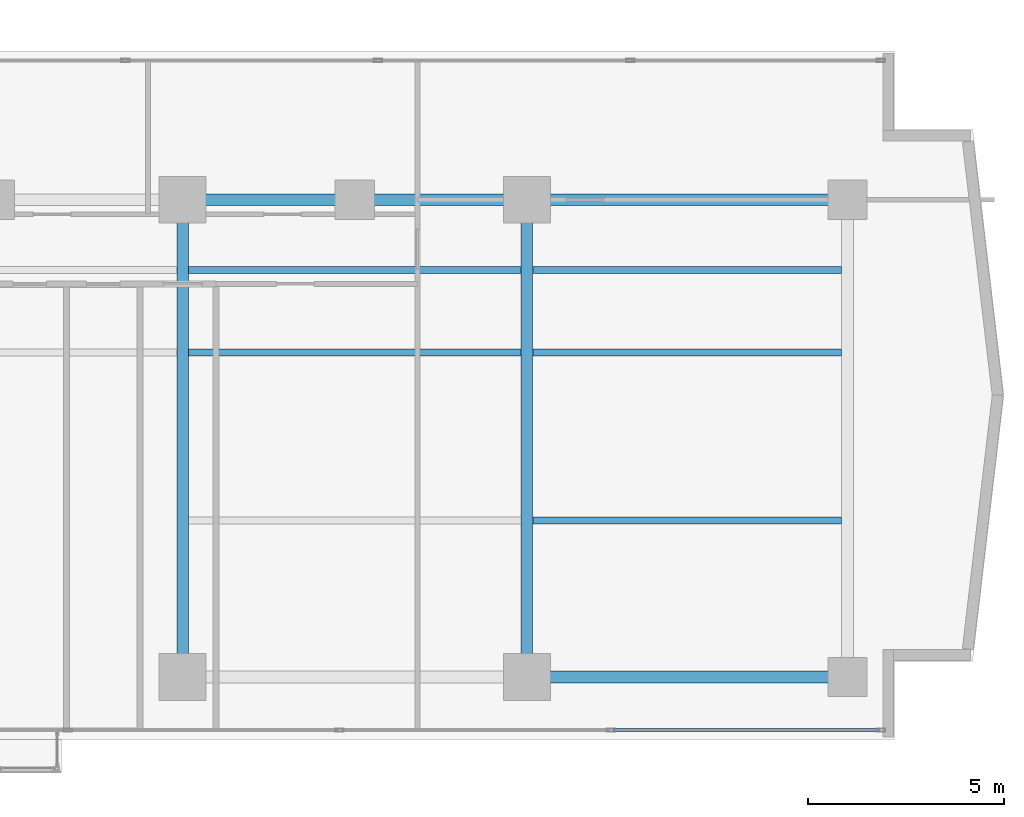
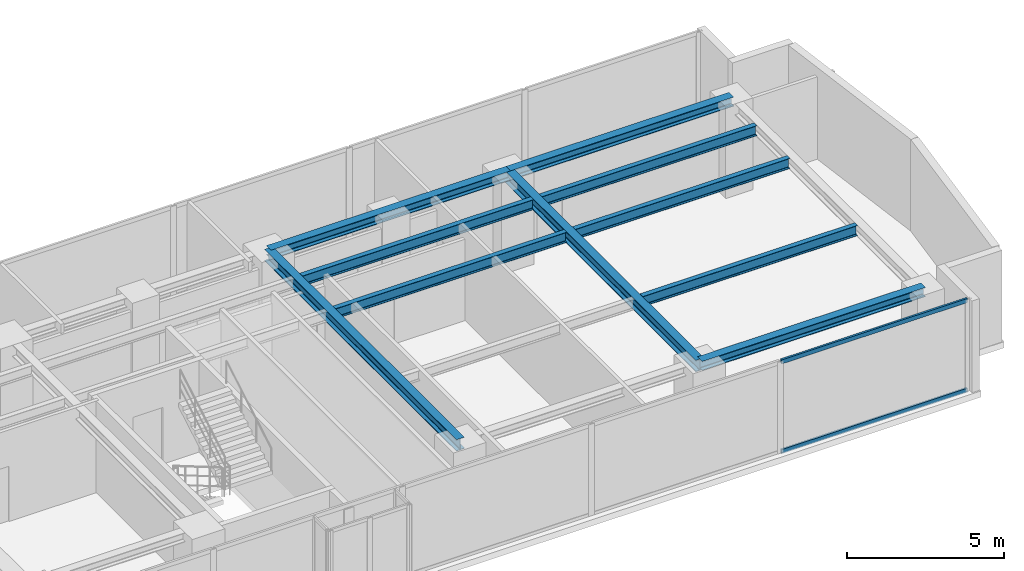
# One storey, part 11 of 23: 10 beams, 2 members, 1 element without a shape of its own.
"""IFC4 building model written with IfcOpenShell, lengths in metres."""

from ifc_helpers import new_model, si_unit, direction, frame, origin, origin_with_axes, origin_2d, place, context, subcontext, project, spatial, hollow_rectangle, i_section, extrude, source, transform, mapped, material, layer, layer_set, material_profile, profile_set, type_object, element, aggregate, save


model = new_model("IFC4")

# Units and contexts
model_context = context("Model", 3, precision=1e-05, world=origin(), true_north=direction((0.0, 1.0)))
body_context = subcontext(model_context, "Body", "Model", "MODEL_VIEW")
ifc_project = project(units=[si_unit("LENGTHUNIT", "METRE"), si_unit("AREAUNIT", "SQUARE_METRE"), si_unit("VOLUMEUNIT", "CUBIC_METRE"), si_unit("PLANEANGLEUNIT", "RADIAN"), si_unit("MASSUNIT", "GRAM", prefix="KILO")], contexts=[model_context])

# Site, building, storey
site_placement = place(None, origin())
site = spatial("IfcSite", under=ifc_project, at=site_placement, CompositionType="ELEMENT")
building_placement = place(site_placement, origin())
building = spatial("IfcBuilding", under=site, at=building_placement, Name="Kolvaren Waterfront Exchange", CompositionType="ELEMENT")
storey_placement = place(building_placement, frame((0.0, 0.0, 188.0)))
storey = spatial("IfcBuildingStorey", under=building, at=storey_placement, Name="L48", CompositionType="ELEMENT", Elevation=188.0)

# Beams
ifc_material_1 = material(Name="Steel S355", Category="steel")
ifc_material_profile_1 = material_profile(ifc_material_1, i_section(OverallWidth=0.300048828125, OverallDepth=0.360107421875, WebThickness=0.012451171875, FlangeThickness=0.0224609375, FilletRadius=0.027099609375, at=origin_2d()), Name="HEB360")
ifc_profile_set_1 = profile_set([ifc_material_profile_1], Name="Steel S355")
beam_type_1 = type_object("IfcBeamType", Name="STR-BM-HEB360", PredefinedType="SPANDREL", material=ifc_profile_set_1)
beam_1_placement = place(storey_placement, frame((45.60009765625, 5.199951171875, 3.3798828125), z_axis=(1.0, 0.0, 0.0), x_axis=(0.0, 1.0, 0.0)))
element("IfcBeam", 1, at=beam_1_placement, inside=storey, type_object=beam_type_1, Name="L48 east-arm spandrel S4", PredefinedType="SPANDREL", context=body_context, shape_type="SweptSolid", body=[
    extrude(i_section(OverallWidth=0.300048828125, OverallDepth=0.360107421875, WebThickness=0.012451171875, FlangeThickness=0.0224609375, FilletRadius=0.027099609375, at=origin_2d()), origin(), (0.0, 0.0, 1.0), 8.199951171875),
])
beam_2_placement = place(storey_placement, frame((36.800048828125, 17.39990234375, 3.3798828125), z_axis=(1.0, 0.0, 0.0), x_axis=(0.0, 1.0, 0.0)))
element("IfcBeam", 2, at=beam_2_placement, inside=storey, type_object=beam_type_1, Name="L48 east-arm spandrel N3", PredefinedType="SPANDREL", context=body_context, shape_type="SweptSolid", body=[
    extrude(i_section(OverallWidth=0.300048828125, OverallDepth=0.360107421875, WebThickness=0.012451171875, FlangeThickness=0.0224609375, FilletRadius=0.027099609375, at=origin_2d()), origin(), (0.0, 0.0, 1.0), 8.800048828125),
])
beam_3_placement = place(storey_placement, frame((45.60009765625, 17.39990234375, 3.3798828125), z_axis=(1.0, 0.0, 0.0), x_axis=(0.0, 1.0, 0.0)))
element("IfcBeam", 3, at=beam_3_placement, inside=storey, type_object=beam_type_1, Name="L48 east-arm spandrel N4", PredefinedType="SPANDREL", context=body_context, shape_type="SweptSolid", body=[
    extrude(i_section(OverallWidth=0.300048828125, OverallDepth=0.360107421875, WebThickness=0.012451171875, FlangeThickness=0.0224609375, FilletRadius=0.027099609375, at=origin_2d()), origin(), (0.0, 0.0, 1.0), 8.199951171875),
])
ifc_material_profile_2 = material_profile(ifc_material_1, i_section(OverallWidth=0.300048828125, OverallDepth=0.449951171875, WebThickness=0.013916015625, FlangeThickness=0.02587890625, FilletRadius=0.027099609375, at=origin_2d()), Name="HEB450")
ifc_profile_set_2 = profile_set([ifc_material_profile_2], Name="Steel S355")
beam_type_2 = type_object("IfcBeamType", Name="STR-BM-HEB450", PredefinedType="BEAM", material=ifc_profile_set_2)
for number, where, z_axis, x_axis, name in (
    (4, (36.800048828125, 5.199951171875, 3.3349609375), (0.0, 1.0, 0.0), (-1.0, 0.0, 0.0), "L48 east-arm transverse girder X36"),
    (5, (45.60009765625, 5.199951171875, 3.3349609375), (0.0, 1.0, 0.0), (-1.0, 0.0, 0.0), "L48 east-arm transverse girder X45"),
):
    element("IfcBeam", number, at=place(storey_placement, frame(where, z_axis=z_axis, x_axis=x_axis)), inside=storey, type_object=beam_type_2, Name=name, PredefinedType="BEAM", context=body_context, shape_type="SweptSolid", body=[
        extrude(i_section(OverallWidth=0.300048828125, OverallDepth=0.449951171875, WebThickness=0.013916015625, FlangeThickness=0.02587890625, FilletRadius=0.027099609375, at=origin_2d()), origin(), (0.0, 0.0, 1.0), 12.199951171875),
    ])
ifc_material_profile_3 = material_profile(ifc_material_1, i_section(OverallWidth=0.179931640625, OverallDepth=0.39990234375, WebThickness=0.008544921875, FlangeThickness=0.013427734375, FilletRadius=0.02099609375, at=origin_2d()), Name="IPE400")
ifc_profile_set_3 = profile_set([ifc_material_profile_3], Name="Steel S355")
beam_type_3 = type_object("IfcBeamType", Name="STR-BM-IPE400", PredefinedType="JOIST", material=ifc_profile_set_3)
for number, where, z_axis, x_axis, name in (
    (6, (36.951904296875, 13.5, 3.360107421875), (1.0, 0.0, 0.0), (0.0, 1.0, 0.0), "L48 east-arm composite joist 3A"),
    (7, (36.951904296875, 15.60009765625, 3.360107421875), (1.0, 0.0, 0.0), (0.0, 1.0, 0.0), "L48 east-arm composite joist 3C"),
):
    element("IfcBeam", number, at=place(storey_placement, frame(where, z_axis=z_axis, x_axis=x_axis)), inside=storey, type_object=beam_type_3, Name=name, PredefinedType="JOIST", context=body_context, shape_type="SweptSolid", body=[
        extrude(i_section(OverallWidth=0.179931640625, OverallDepth=0.39990234375, WebThickness=0.008544921875, FlangeThickness=0.013427734375, FilletRadius=0.02099609375, at=origin_2d()), origin(), (0.0, 0.0, 1.0), 8.49609375),
    ])
for number, where, z_axis, x_axis, name in (
    (8, (45.751953125, 13.5, 3.360107421875), (1.0, 0.0, 0.0), (0.0, 1.0, 0.0), "L48 east-arm composite joist 4A"),
    (9, (45.751953125, 15.60009765625, 3.360107421875), (1.0, 0.0, 0.0), (0.0, 1.0, 0.0), "L48 east-arm composite joist 4C"),
    (10, (45.751953125, 9.199951171875, 3.360107421875), (1.0, 0.0, 0.0), (0.0, 1.0, 0.0), "L48 east-arm composite joist 4B"),
):
    element("IfcBeam", number, at=place(storey_placement, frame(where, z_axis=z_axis, x_axis=x_axis)), inside=storey, type_object=beam_type_3, Name=name, PredefinedType="JOIST", context=body_context, shape_type="SweptSolid", body=[
        extrude(i_section(OverallWidth=0.179931640625, OverallDepth=0.39990234375, WebThickness=0.008544921875, FlangeThickness=0.013427734375, FilletRadius=0.02099609375, at=origin_2d()), origin(), (0.0, 0.0, 1.0), 7.89599609375),
    ])

# Curtain wall, members
ifc_material_2 = material(Name="Anodised bronze aluminium 6063-T6", Category="aluminium")
ifc_layer = layer(ifc_material_2, 0.219970703125, Name="Anodised bronze aluminium 6063-T6")
ifc_layer_set = layer_set([ifc_layer], Name="Anodised bronze aluminium 6063-T6")
curtain_wall_type = type_object("IfcCurtainWallType", Name="ARC-CW-SYS1", PredefinedType="USERDEFINED", material=ifc_layer_set)
curtain_wall_placement = place(storey_placement, origin())
curtain_wall = element("IfcCurtainWall", 11, at=curtain_wall_placement, inside=storey, type_object=curtain_wall_type, Name="L48 stick curtain wall CW1 (CW-L48-S)", ObjectType="STICK CURTAIN WALL", PredefinedType="USERDEFINED")
ifc_material_3 = material(Name="Anodised aluminium 6063-T6", Category="aluminium")
ifc_material_profile_4 = material_profile(ifc_material_3, hollow_rectangle(XDim=0.074951171875, YDim=0.159912109375, WallThickness=0.00439453125, at=origin_2d()), Name="ALU-TRN-160x75x4.5")
ifc_profile_set_4 = profile_set([ifc_material_profile_4], Name="Anodised aluminium 6063-T6")
member_type = type_object("IfcMemberType", Name="ARC-CWT-160", PredefinedType="USERDEFINED", material=ifc_profile_set_4)
shared_shape = source(origin_with_axes(), body_context, "Body", "SweptSolid", [
    extrude(hollow_rectangle(XDim=0.074951171875, YDim=0.159912109375, WallThickness=0.00439453125, at=origin_2d()), origin(), (0.0, 0.0, 1.0), 6.822998046875),
])
member_1_placement = place(storey_placement, frame((47.797119140625, 3.840087890625, 0.03759765625), z_axis=(1.0, 0.0, 0.0), x_axis=(0.0, 1.0, 0.0)))
member_1 = element("IfcMember", 12, at=member_1_placement, type_object=member_type, Name="CW1 transom 7.1", ObjectType="TRANSOM", PredefinedType="USERDEFINED", context=body_context, shape_type="MappedRepresentation", body=[
    mapped(shared_shape, transform((0.0, 0.0, 0.0), x_axis=(1.0, 0.0, 0.0), y_axis=(0.0, 1.0, 0.0), z_axis=(0.0, 0.0, 1.0), scale=1.0)),
])
member_2_placement = place(storey_placement, frame((47.797119140625, 3.840087890625, 3.5224609375), z_axis=(1.0, 0.0, 0.0), x_axis=(0.0, 1.0, 0.0)))
member_2 = element("IfcMember", 13, at=member_2_placement, type_object=member_type, Name="CW1 transom 7.2", ObjectType="TRANSOM", PredefinedType="USERDEFINED", context=body_context, shape_type="MappedRepresentation", body=[
    mapped(shared_shape, transform((0.0, 0.0, 0.0), x_axis=(1.0, 0.0, 0.0), y_axis=(0.0, 1.0, 0.0), z_axis=(0.0, 0.0, 1.0), scale=1.0)),
])
aggregate(curtain_wall, [member_1, member_2])

save(model, "model.ifc")
